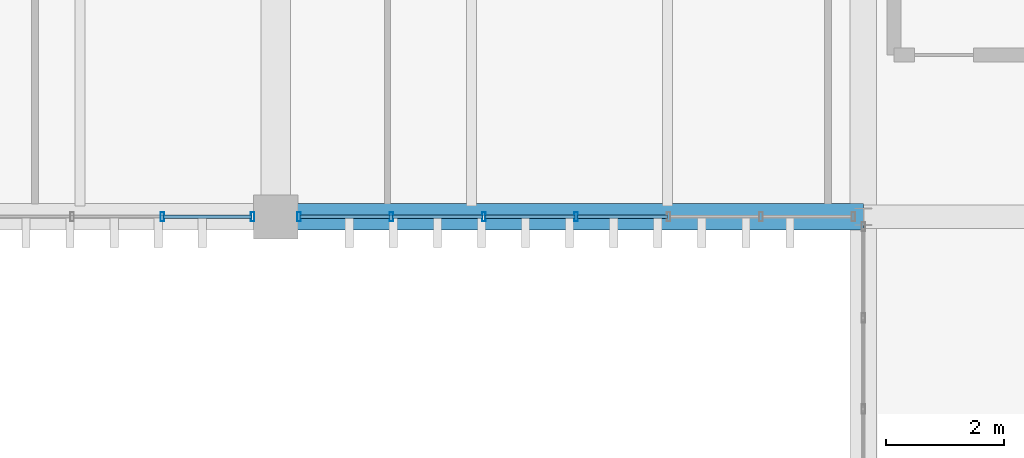
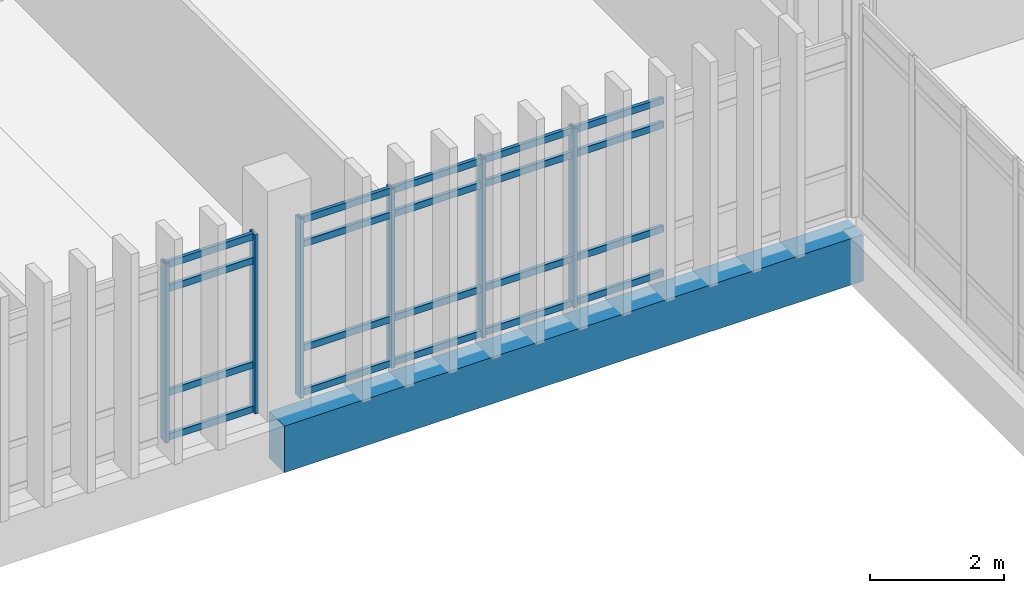
# One storey, part 87 of 161: 26 members, 1 beam, 2 elements without a shape of their own.
"""IFC4 building model written with IfcOpenShell, lengths in metres."""

import ifcopenshell
import ifcopenshell.guid

model = None  # the IFC model being written
_history = None  # IfcOwnerHistory: only IFC2X3 demands one
_inside = {}  # id of a spatial element -> (the spatial element, [elements in it])
_under = {}  # id of a project, library or spatial element -> (it, [spatial elements below it])
_declared = {}  # id of a project -> (the project, [libraries it declares])
_typed = {}  # id of a type object -> (the type object, [elements of that type])
_made_of = {}  # id of a material, layer set ... -> (it, [elements and type objects made of it])


def new_model(schema):
    """Start an empty IFC model of exactly this schema.

    Asked for "IFC4X3", IfcOpenShell would pick the latest addendum, in which some entities
    have other attributes; the version numbers below select the first issue.
    IFC2X3 requires an IfcOwnerHistory on every rooted entity: one is made here for all.
    """
    global model, _history
    if schema == "IFC4X3":
        model = ifcopenshell.file(schema_version=(4, 3, 0, 0))
    else:
        model = ifcopenshell.file(schema=schema)
    _inside.clear()
    _under.clear()
    _declared.clear()
    _typed.clear()
    _made_of.clear()
    _history = None
    if model.schema == "IFC2X3":
        org = make("IfcOrganization", Name="unknown")
        user = make(
            "IfcPersonAndOrganization",
            ThePerson=make("IfcPerson", FamilyName="unknown"),
            TheOrganization=org,
        )
        app = make(
            "IfcApplication",
            ApplicationDeveloper=org,
            Version="unknown",
            ApplicationFullName="unknown",
            ApplicationIdentifier="unknown",
        )
        _history = make(
            "IfcOwnerHistory",
            OwningUser=user,
            OwningApplication=app,
            ChangeAction="ADDED",
            CreationDate=0,
        )
    return model


def make(cls, **values):
    """One entity of the class cls with the attributes given. An attribute that is None is left unset."""
    return model.create_entity(
        cls, **{name: value for name, value in values.items() if value is not None}
    )


def rooted(cls, **values):
    """An entity with a GlobalId (a new one), such as an element, a storey or a relation."""
    return make(cls, GlobalId=ifcopenshell.guid.new(), OwnerHistory=_history, **values)


def si_unit(unit_type, name, prefix=None):
    """IfcSIUnit, for example si_unit("LENGTHUNIT", "METRE", prefix="MILLI")."""
    return make("IfcSIUnit", UnitType=unit_type, Prefix=prefix, Name=name)


def assignment(units):
    """IfcUnitAssignment: the units of a project."""
    return None if units is None else make("IfcUnitAssignment", Units=units)


def point(xyz):
    """IfcCartesianPoint."""
    return None if xyz is None else make("IfcCartesianPoint", Coordinates=xyz)


def direction(xyz):
    """IfcDirection."""
    return None if xyz is None else make("IfcDirection", DirectionRatios=xyz)


def frame(location, z_axis=None, x_axis=None):
    """IfcAxis2Placement3D, a coordinate frame: its origin and axes. An axis left out is left unset."""
    return make(
        "IfcAxis2Placement3D",
        Location=point(location),
        Axis=direction(z_axis),
        RefDirection=direction(x_axis),
    )


def frame_2d(location, x_axis=None):
    """IfcAxis2Placement2D, a coordinate frame in the plane: its origin and x axis."""
    return make(
        "IfcAxis2Placement2D", Location=point(location), RefDirection=direction(x_axis)
    )


def origin():
    """The frame at (0, 0, 0) with its axes left unset."""
    return frame((0.0, 0.0, 0.0))


def origin_2d():
    """The frame at (0, 0) in the plane with its x axis left unset."""
    return frame_2d((0.0, 0.0))


def place(relative_to, where):
    """IfcLocalPlacement: puts the frame where relative to a parent placement (None: the world)."""
    return make(
        "IfcLocalPlacement", PlacementRelTo=relative_to, RelativePlacement=where
    )


def context(
    kind, dimensions, precision=None, world=None, true_north=None, identifier=None
):
    """IfcGeometricRepresentationContext, for example the 3D "Model" context."""
    return make(
        "IfcGeometricRepresentationContext",
        ContextIdentifier=identifier,
        ContextType=kind,
        CoordinateSpaceDimension=dimensions,
        Precision=precision,
        WorldCoordinateSystem=world,
        TrueNorth=true_north,
    )


def subcontext(parent, identifier, kind, view, scale=None):
    """IfcGeometricRepresentationSubContext, for example "Body" below "Model"."""
    return make(
        "IfcGeometricRepresentationSubContext",
        ContextIdentifier=identifier,
        ContextType=kind,
        ParentContext=parent,
        TargetScale=scale,
        TargetView=view,
    )


def project(units=None, contexts=None):
    """IfcProject with its units and contexts."""
    return rooted(
        "IfcProject",
        Name="project",
        RepresentationContexts=contexts,
        UnitsInContext=assignment(units),
    )


def spatial(cls, under=None, at=None, **own):
    """A site, building, storey or space (cls), placed at a placement, below another one or the project."""
    s = rooted(cls, ObjectPlacement=at, **own)
    if under is not None:
        _under.setdefault(under.id(), (under, []))[1].append(s)
    return s


def profile(cls, at=None, kind="AREA", **sizes):
    """A parametric profile (cls). Its sizes go by their IFC names, for example OverallWidth=200.0."""
    return make(cls, ProfileType=kind, Position=at, **sizes)


def rectangle(**sizes):
    """IfcRectangleProfileDef."""
    return profile("IfcRectangleProfileDef", **sizes)


def hollow_rectangle(**sizes):
    """IfcRectangleHollowProfileDef."""
    return profile("IfcRectangleHollowProfileDef", **sizes)


def extrude(swept, where, along, depth):
    """IfcExtrudedAreaSolid: the profile swept, set in the frame where, extruded along a direction by depth."""
    return make(
        "IfcExtrudedAreaSolid",
        SweptArea=swept,
        Position=where,
        ExtrudedDirection=direction(along),
        Depth=depth,
    )


def shape(context_of_items, identifier, shape_type, items):
    """IfcShapeRepresentation: the items that make up one representation, for example the "Body"."""
    return make(
        "IfcShapeRepresentation",
        ContextOfItems=context_of_items,
        RepresentationIdentifier=identifier,
        RepresentationType=shape_type,
        Items=items,
    )


def material(Name=None, Category=None):
    """IfcMaterial."""
    return make("IfcMaterial", Name=Name, Category=Category)


def layer(
    of_material, thickness, ventilated=None, Name=None, Category=None, Priority=None
):
    """IfcMaterialLayer: one layer of a wall or slab, of a material (None: an air gap)."""
    return make(
        "IfcMaterialLayer",
        Material=of_material,
        LayerThickness=thickness,
        IsVentilated=ventilated,
        Name=Name,
        Category=Category,
        Priority=Priority,
    )


def layer_set(layers, Name=None):
    """IfcMaterialLayerSet."""
    return make("IfcMaterialLayerSet", MaterialLayers=layers, LayerSetName=Name)


def material_profile(
    of_material, cross_section, Name=None, Category=None, Priority=None
):
    """IfcMaterialProfile: a cross section and its material."""
    return make(
        "IfcMaterialProfile",
        Name=Name,
        Material=of_material,
        Profile=cross_section,
        Priority=Priority,
        Category=Category,
    )


def profile_set(profiles, Name=None, composite=None):
    """IfcMaterialProfileSet."""
    return make(
        "IfcMaterialProfileSet",
        Name=Name,
        MaterialProfiles=profiles,
        CompositeProfile=composite,
    )


def made_of(thing, what):
    """Note that an element or type object is made of a material, layer set ...; save() writes the relation."""
    if what is not None:
        _made_of.setdefault(what.id(), (what, []))[1].append(thing)
    return thing


def type_object(cls, material=None, **own):
    """A type object (cls), such as IfcWallType, which elements share."""
    return made_of(rooted(cls, **own), material)


def element(
    cls,
    number,
    at=None,
    inside=None,
    cuts=None,
    type_object=None,
    material=None,
    context=None,
    identifier="Body",
    shape_type=None,
    held_by="IfcProductDefinitionShape",
    body=None,
    shapes=None,
    **own,
):
    """One element of the class cls, such as IfcWall. Its Tag is "e" and its number.

    at: its placement. inside: the storey or other place that contains it. cuts: it is an
    opening in that element (IfcRelVoidsElement). A single representation is given by context,
    identifier, shape_type and body (its items); several are given by shapes. held_by: the class
    of the entity that holds the representations. save() writes the other relations.
    """
    e = rooted(cls, Tag="e%d" % number, ObjectPlacement=at, **own)
    if body is not None:
        shapes = [shape(context, identifier, shape_type, body)]
    if shapes is not None:
        e.Representation = make(held_by, Representations=shapes)
    if inside is not None:
        _inside.setdefault(inside.id(), (inside, []))[1].append(e)
    if cuts is not None:
        rooted(
            "IfcRelVoidsElement", RelatingBuildingElement=cuts, RelatedOpeningElement=e
        )
    if type_object is not None:
        _typed.setdefault(type_object.id(), (type_object, []))[1].append(e)
    return made_of(e, material)


def aggregate(whole, parts):
    """IfcRelAggregates: a whole, such as a stair, and the parts it consists of."""
    return rooted("IfcRelAggregates", RelatingObject=whole, RelatedObjects=parts)


def save(model, path):
    """Write the relations noted so far, then the file.

    IfcRelAggregates (storeys below a building ...), IfcRelContainedInSpatialStructure (elements
    in a storey), IfcRelDefinesByType, IfcRelAssociatesMaterial and IfcRelDeclares: one each for
    every whole, place, type object, material and project.
    """
    for whole, parts in _under.values():
        aggregate(whole, parts)
    for where, things in _inside.values():
        rooted(
            "IfcRelContainedInSpatialStructure",
            RelatedElements=things,
            RelatingStructure=where,
        )
    for kind, things in _typed.values():
        rooted("IfcRelDefinesByType", RelatedObjects=things, RelatingType=kind)
    for what, things in _made_of.values():
        rooted("IfcRelAssociatesMaterial", RelatedObjects=things, RelatingMaterial=what)
    for by, libraries in _declared.values():
        rooted("IfcRelDeclares", RelatingContext=by, RelatedDefinitions=libraries)
    model.write(path)


model = new_model("IFC4")

# Units and contexts
model_context = context("Model", 3, precision=1e-05, world=origin(), true_north=direction((0.0, 1.0)))
body_context = subcontext(model_context, "Body", "Model", "MODEL_VIEW")
ifc_project = project(units=[si_unit("LENGTHUNIT", "METRE"), si_unit("AREAUNIT", "SQUARE_METRE"), si_unit("VOLUMEUNIT", "CUBIC_METRE"), si_unit("PLANEANGLEUNIT", "RADIAN"), si_unit("MASSUNIT", "GRAM", prefix="KILO")], contexts=[model_context])

# Site, building, storey
site_placement = place(None, origin())
site = spatial("IfcSite", under=ifc_project, at=site_placement, CompositionType="ELEMENT")
building_placement = place(site_placement, origin())
building = spatial("IfcBuilding", under=site, at=building_placement, Name="Mersad Railyard Sports Hall", CompositionType="ELEMENT")
storey_placement = place(building_placement, frame((0.0, 0.0, 4.800048828125)))
storey = spatial("IfcBuildingStorey", under=building, at=storey_placement, Name="L01", CompositionType="ELEMENT", Elevation=4.800048828125)

# Curtain wall, members
ifc_material_1 = material(Name="Aluminium 6063-T6", Category="aluminium")
ifc_layer_1 = layer(ifc_material_1, 0.159912109375)
ifc_layer_set_1 = layer_set([ifc_layer_1], Name="Aluminium 6063-T6")
curtain_wall_type_1 = type_object("IfcCurtainWallType", Name="ARC-CW-CW38", PredefinedType="USERDEFINED", material=ifc_layer_set_1)
curtain_wall_1_placement = place(storey_placement, origin())
curtain_wall_1 = element("IfcCurtainWall", 1, at=curtain_wall_1_placement, inside=storey, type_object=curtain_wall_type_1, Name="Curtain wall CW38-0110", ObjectType="CURTAIN WALL", PredefinedType="USERDEFINED")
ifc_material_profile_1 = material_profile(ifc_material_1, hollow_rectangle(XDim=0.06005859375, YDim=0.159912109375, WallThickness=0.00390625, at=origin_2d()), Name="AL MULLION 60x160x4")
ifc_profile_set_1 = profile_set([ifc_material_profile_1], Name="Aluminium 6063-T6")
member_type_1 = type_object("IfcMemberType", Name="ARC-CW-MUL01", PredefinedType="MULLION", material=ifc_profile_set_1)
member_1_placement = place(storey_placement, frame((120.60498046875, 85.0, -0.02001953125), z_axis=(0.0, 0.0, 1.0), x_axis=(1.0, 0.0, 0.0)))
member_1 = element("IfcMember", 2, at=member_1_placement, type_object=member_type_1, Name="CW38 Mullion 1", PredefinedType="MULLION", context=body_context, shape_type="SweptSolid", body=[
    extrude(hollow_rectangle(XDim=0.06005859375, YDim=0.159912109375, WallThickness=0.00390625, at=origin_2d()), origin(), (0.0, 0.0, 1.0), 3.27001953125),
])
member_2_placement = place(storey_placement, frame((119.070068359375, 85.0, -0.02001953125), z_axis=(0.0, 0.0, 1.0), x_axis=(1.0, 0.0, 0.0)))
member_2 = element("IfcMember", 3, at=member_2_placement, type_object=member_type_1, Name="CW38 Mullion 2", PredefinedType="MULLION", context=body_context, shape_type="SweptSolid", body=[
    extrude(hollow_rectangle(XDim=0.06005859375, YDim=0.159912109375, WallThickness=0.00390625, at=origin_2d()), origin(), (0.0, 0.0, 1.0), 3.27001953125),
])

ifc_layer_2 = layer(ifc_material_1, 0.159912109375)
ifc_layer_set_2 = layer_set([ifc_layer_2], Name="Aluminium 6063-T6")
curtain_wall_type_2 = type_object("IfcCurtainWallType", Name="ARC-CW-CW39", PredefinedType="USERDEFINED", material=ifc_layer_set_2)
curtain_wall_2_placement = place(storey_placement, origin())
curtain_wall_2 = element("IfcCurtainWall", 4, at=curtain_wall_2_placement, inside=storey, type_object=curtain_wall_type_2, Name="Curtain wall CW39-0111", ObjectType="CURTAIN WALL", PredefinedType="USERDEFINED")
member_3_placement = place(storey_placement, frame((126.112548828125, 85.0, -0.02001953125), z_axis=(0.0, 0.0, 1.0), x_axis=(1.0, 0.0, 0.0)))
member_3 = element("IfcMember", 5, at=member_3_placement, type_object=member_type_1, Name="CW39 Mullion 4", PredefinedType="MULLION", context=body_context, shape_type="SweptSolid", body=[
    extrude(hollow_rectangle(XDim=0.06005859375, YDim=0.159912109375, WallThickness=0.00390625, at=origin_2d()), origin(), (0.0, 0.0, 1.0), 3.27001953125),
])
member_4_placement = place(storey_placement, frame((124.5400390625, 85.0, -0.02001953125), z_axis=(0.0, 0.0, 1.0), x_axis=(1.0, 0.0, 0.0)))
member_4 = element("IfcMember", 6, at=member_4_placement, type_object=member_type_1, Name="CW39 Mullion 5", PredefinedType="MULLION", context=body_context, shape_type="SweptSolid", body=[
    extrude(hollow_rectangle(XDim=0.06005859375, YDim=0.159912109375, WallThickness=0.00390625, at=origin_2d()), origin(), (0.0, 0.0, 1.0), 3.27001953125),
])
member_5_placement = place(storey_placement, frame((122.967529296875, 85.0, -0.02001953125), z_axis=(0.0, 0.0, 1.0), x_axis=(1.0, 0.0, 0.0)))
member_5 = element("IfcMember", 7, at=member_5_placement, type_object=member_type_1, Name="CW39 Mullion 6", PredefinedType="MULLION", context=body_context, shape_type="SweptSolid", body=[
    extrude(hollow_rectangle(XDim=0.06005859375, YDim=0.159912109375, WallThickness=0.00390625, at=origin_2d()), origin(), (0.0, 0.0, 1.0), 3.27001953125),
])
member_6_placement = place(storey_placement, frame((121.39501953125, 85.0, -0.02001953125), z_axis=(0.0, 0.0, 1.0), x_axis=(1.0, 0.0, 0.0)))
member_6 = element("IfcMember", 8, at=member_6_placement, type_object=member_type_1, Name="CW39 Mullion 7", PredefinedType="MULLION", context=body_context, shape_type="SweptSolid", body=[
    extrude(hollow_rectangle(XDim=0.06005859375, YDim=0.159912109375, WallThickness=0.00390625, at=origin_2d()), origin(), (0.0, 0.0, 1.0), 3.27001953125),
])

# Member
ifc_material_profile_2 = material_profile(ifc_material_1, hollow_rectangle(XDim=0.06005859375, YDim=0.1201171875, WallThickness=0.00390625, at=origin_2d()), Name="AL TRANSOM 60x120x4")
ifc_profile_set_2 = profile_set([ifc_material_profile_2], Name="Aluminium 6063-T6")
member_type_2 = type_object("IfcMemberType", Name="ARC-CW-TRN01", PredefinedType="USERDEFINED", material=ifc_profile_set_2)
member_7_placement = place(storey_placement, frame((120.5849609375, 85.0, 0.0400390625), z_axis=(-1.0, 0.0, 0.0), x_axis=(0.0, -1.0, 0.0)))
member_7 = element("IfcMember", 9, at=member_7_placement, type_object=member_type_2, Name="CW38 Transom 1-1", ObjectType="TRANSOM", PredefinedType="USERDEFINED", context=body_context, shape_type="SweptSolid", body=[
    extrude(hollow_rectangle(XDim=0.06005859375, YDim=0.1201171875, WallThickness=0.00390625, at=origin_2d()), origin(), (0.0, 0.0, 1.0), 1.494873046875),
])

member_8_placement = place(storey_placement, frame((120.5849609375, 85.0, 0.849853515625), z_axis=(-1.0, 0.0, 0.0), x_axis=(0.0, -1.0, 0.0)))
member_8 = element("IfcMember", 10, at=member_8_placement, type_object=member_type_2, Name="CW38 Transom 2-1", ObjectType="TRANSOM", PredefinedType="USERDEFINED", context=body_context, shape_type="SweptSolid", body=[
    extrude(hollow_rectangle(XDim=0.06005859375, YDim=0.1201171875, WallThickness=0.00390625, at=origin_2d()), origin(), (0.0, 0.0, 1.0), 1.494873046875),
])

member_9_placement = place(storey_placement, frame((120.5849609375, 85.0, 2.75), z_axis=(-1.0, 0.0, 0.0), x_axis=(0.0, -1.0, 0.0)))
member_9 = element("IfcMember", 11, at=member_9_placement, type_object=member_type_2, Name="CW38 Transom 3-1", ObjectType="TRANSOM", PredefinedType="USERDEFINED", context=body_context, shape_type="SweptSolid", body=[
    extrude(hollow_rectangle(XDim=0.06005859375, YDim=0.1201171875, WallThickness=0.00390625, at=origin_2d()), origin(), (0.0, 0.0, 1.0), 1.494873046875),
])

member_10_placement = place(storey_placement, frame((120.5849609375, 85.0, 3.18994140625), z_axis=(-1.0, 0.0, 0.0), x_axis=(0.0, -1.0, 0.0)))
member_10 = element("IfcMember", 12, at=member_10_placement, type_object=member_type_2, Name="CW38 Transom 4-1", ObjectType="TRANSOM", PredefinedType="USERDEFINED", context=body_context, shape_type="SweptSolid", body=[
    extrude(hollow_rectangle(XDim=0.06005859375, YDim=0.1201171875, WallThickness=0.00390625, at=origin_2d()), origin(), (0.0, 0.0, 1.0), 1.494873046875),
])

aggregate(curtain_wall_1, [member_1, member_2, member_7, member_8, member_9, member_10])

member_11_placement = place(storey_placement, frame((127.6650390625, 85.0, 0.0400390625), z_axis=(-1.0, 0.0, 0.0), x_axis=(0.0, -1.0, 0.0)))
member_11 = element("IfcMember", 13, at=member_11_placement, type_object=member_type_2, Name="CW39 Transom 1-3", ObjectType="TRANSOM", PredefinedType="USERDEFINED", context=body_context, shape_type="SweptSolid", body=[
    extrude(hollow_rectangle(XDim=0.06005859375, YDim=0.1201171875, WallThickness=0.00390625, at=origin_2d()), origin(), (0.0, 0.0, 1.0), 1.532470703125),
])

member_12_placement = place(storey_placement, frame((126.092529296875, 85.0, 0.0400390625), z_axis=(-1.0, 0.0, 0.0), x_axis=(0.0, -1.0, 0.0)))
member_12 = element("IfcMember", 14, at=member_12_placement, type_object=member_type_2, Name="CW39 Transom 1-4", ObjectType="TRANSOM", PredefinedType="USERDEFINED", context=body_context, shape_type="SweptSolid", body=[
    extrude(hollow_rectangle(XDim=0.06005859375, YDim=0.1201171875, WallThickness=0.00390625, at=origin_2d()), origin(), (0.0, 0.0, 1.0), 1.532470703125),
])

member_13_placement = place(storey_placement, frame((124.52001953125, 85.0, 0.0400390625), z_axis=(-1.0, 0.0, 0.0), x_axis=(0.0, -1.0, 0.0)))
member_13 = element("IfcMember", 15, at=member_13_placement, type_object=member_type_2, Name="CW39 Transom 1-5", ObjectType="TRANSOM", PredefinedType="USERDEFINED", context=body_context, shape_type="SweptSolid", body=[
    extrude(hollow_rectangle(XDim=0.06005859375, YDim=0.1201171875, WallThickness=0.00390625, at=origin_2d()), origin(), (0.0, 0.0, 1.0), 1.532470703125),
])

member_14_placement = place(storey_placement, frame((122.947509765625, 85.0, 0.0400390625), z_axis=(-1.0, 0.0, 0.0), x_axis=(0.0, -1.0, 0.0)))
member_14 = element("IfcMember", 16, at=member_14_placement, type_object=member_type_2, Name="CW39 Transom 1-6", ObjectType="TRANSOM", PredefinedType="USERDEFINED", context=body_context, shape_type="SweptSolid", body=[
    extrude(hollow_rectangle(XDim=0.06005859375, YDim=0.1201171875, WallThickness=0.00390625, at=origin_2d()), origin(), (0.0, 0.0, 1.0), 1.532470703125),
])

member_15_placement = place(storey_placement, frame((127.6650390625, 85.0, 0.849853515625), z_axis=(-1.0, 0.0, 0.0), x_axis=(0.0, -1.0, 0.0)))
member_15 = element("IfcMember", 17, at=member_15_placement, type_object=member_type_2, Name="CW39 Transom 2-3", ObjectType="TRANSOM", PredefinedType="USERDEFINED", context=body_context, shape_type="SweptSolid", body=[
    extrude(hollow_rectangle(XDim=0.06005859375, YDim=0.1201171875, WallThickness=0.00390625, at=origin_2d()), origin(), (0.0, 0.0, 1.0), 1.532470703125),
])

member_16_placement = place(storey_placement, frame((126.092529296875, 85.0, 0.849853515625), z_axis=(-1.0, 0.0, 0.0), x_axis=(0.0, -1.0, 0.0)))
member_16 = element("IfcMember", 18, at=member_16_placement, type_object=member_type_2, Name="CW39 Transom 2-4", ObjectType="TRANSOM", PredefinedType="USERDEFINED", context=body_context, shape_type="SweptSolid", body=[
    extrude(hollow_rectangle(XDim=0.06005859375, YDim=0.1201171875, WallThickness=0.00390625, at=origin_2d()), origin(), (0.0, 0.0, 1.0), 1.532470703125),
])

member_17_placement = place(storey_placement, frame((124.52001953125, 85.0, 0.849853515625), z_axis=(-1.0, 0.0, 0.0), x_axis=(0.0, -1.0, 0.0)))
member_17 = element("IfcMember", 19, at=member_17_placement, type_object=member_type_2, Name="CW39 Transom 2-5", ObjectType="TRANSOM", PredefinedType="USERDEFINED", context=body_context, shape_type="SweptSolid", body=[
    extrude(hollow_rectangle(XDim=0.06005859375, YDim=0.1201171875, WallThickness=0.00390625, at=origin_2d()), origin(), (0.0, 0.0, 1.0), 1.532470703125),
])

member_18_placement = place(storey_placement, frame((122.947509765625, 85.0, 0.849853515625), z_axis=(-1.0, 0.0, 0.0), x_axis=(0.0, -1.0, 0.0)))
member_18 = element("IfcMember", 20, at=member_18_placement, type_object=member_type_2, Name="CW39 Transom 2-6", ObjectType="TRANSOM", PredefinedType="USERDEFINED", context=body_context, shape_type="SweptSolid", body=[
    extrude(hollow_rectangle(XDim=0.06005859375, YDim=0.1201171875, WallThickness=0.00390625, at=origin_2d()), origin(), (0.0, 0.0, 1.0), 1.532470703125),
])

member_19_placement = place(storey_placement, frame((127.6650390625, 85.0, 2.75), z_axis=(-1.0, 0.0, 0.0), x_axis=(0.0, -1.0, 0.0)))
member_19 = element("IfcMember", 21, at=member_19_placement, type_object=member_type_2, Name="CW39 Transom 3-3", ObjectType="TRANSOM", PredefinedType="USERDEFINED", context=body_context, shape_type="SweptSolid", body=[
    extrude(hollow_rectangle(XDim=0.06005859375, YDim=0.1201171875, WallThickness=0.00390625, at=origin_2d()), origin(), (0.0, 0.0, 1.0), 1.532470703125),
])

member_20_placement = place(storey_placement, frame((126.092529296875, 85.0, 2.75), z_axis=(-1.0, 0.0, 0.0), x_axis=(0.0, -1.0, 0.0)))
member_20 = element("IfcMember", 22, at=member_20_placement, type_object=member_type_2, Name="CW39 Transom 3-4", ObjectType="TRANSOM", PredefinedType="USERDEFINED", context=body_context, shape_type="SweptSolid", body=[
    extrude(hollow_rectangle(XDim=0.06005859375, YDim=0.1201171875, WallThickness=0.00390625, at=origin_2d()), origin(), (0.0, 0.0, 1.0), 1.532470703125),
])

member_21_placement = place(storey_placement, frame((124.52001953125, 85.0, 2.75), z_axis=(-1.0, 0.0, 0.0), x_axis=(0.0, -1.0, 0.0)))
member_21 = element("IfcMember", 23, at=member_21_placement, type_object=member_type_2, Name="CW39 Transom 3-5", ObjectType="TRANSOM", PredefinedType="USERDEFINED", context=body_context, shape_type="SweptSolid", body=[
    extrude(hollow_rectangle(XDim=0.06005859375, YDim=0.1201171875, WallThickness=0.00390625, at=origin_2d()), origin(), (0.0, 0.0, 1.0), 1.532470703125),
])

member_22_placement = place(storey_placement, frame((122.947509765625, 85.0, 2.75), z_axis=(-1.0, 0.0, 0.0), x_axis=(0.0, -1.0, 0.0)))
member_22 = element("IfcMember", 24, at=member_22_placement, type_object=member_type_2, Name="CW39 Transom 3-6", ObjectType="TRANSOM", PredefinedType="USERDEFINED", context=body_context, shape_type="SweptSolid", body=[
    extrude(hollow_rectangle(XDim=0.06005859375, YDim=0.1201171875, WallThickness=0.00390625, at=origin_2d()), origin(), (0.0, 0.0, 1.0), 1.532470703125),
])

member_23_placement = place(storey_placement, frame((127.6650390625, 85.0, 3.18994140625), z_axis=(-1.0, 0.0, 0.0), x_axis=(0.0, -1.0, 0.0)))
member_23 = element("IfcMember", 25, at=member_23_placement, type_object=member_type_2, Name="CW39 Transom 4-3", ObjectType="TRANSOM", PredefinedType="USERDEFINED", context=body_context, shape_type="SweptSolid", body=[
    extrude(hollow_rectangle(XDim=0.06005859375, YDim=0.1201171875, WallThickness=0.00390625, at=origin_2d()), origin(), (0.0, 0.0, 1.0), 1.532470703125),
])

member_24_placement = place(storey_placement, frame((126.092529296875, 85.0, 3.18994140625), z_axis=(-1.0, 0.0, 0.0), x_axis=(0.0, -1.0, 0.0)))
member_24 = element("IfcMember", 26, at=member_24_placement, type_object=member_type_2, Name="CW39 Transom 4-4", ObjectType="TRANSOM", PredefinedType="USERDEFINED", context=body_context, shape_type="SweptSolid", body=[
    extrude(hollow_rectangle(XDim=0.06005859375, YDim=0.1201171875, WallThickness=0.00390625, at=origin_2d()), origin(), (0.0, 0.0, 1.0), 1.532470703125),
])

member_25_placement = place(storey_placement, frame((124.52001953125, 85.0, 3.18994140625), z_axis=(-1.0, 0.0, 0.0), x_axis=(0.0, -1.0, 0.0)))
member_25 = element("IfcMember", 27, at=member_25_placement, type_object=member_type_2, Name="CW39 Transom 4-5", ObjectType="TRANSOM", PredefinedType="USERDEFINED", context=body_context, shape_type="SweptSolid", body=[
    extrude(hollow_rectangle(XDim=0.06005859375, YDim=0.1201171875, WallThickness=0.00390625, at=origin_2d()), origin(), (0.0, 0.0, 1.0), 1.532470703125),
])

member_26_placement = place(storey_placement, frame((122.947509765625, 85.0, 3.18994140625), z_axis=(-1.0, 0.0, 0.0), x_axis=(0.0, -1.0, 0.0)))
member_26 = element("IfcMember", 28, at=member_26_placement, type_object=member_type_2, Name="CW39 Transom 4-6", ObjectType="TRANSOM", PredefinedType="USERDEFINED", context=body_context, shape_type="SweptSolid", body=[
    extrude(hollow_rectangle(XDim=0.06005859375, YDim=0.1201171875, WallThickness=0.00390625, at=origin_2d()), origin(), (0.0, 0.0, 1.0), 1.532470703125),
])

aggregate(curtain_wall_2, [member_3, member_4, member_5, member_6, member_11, member_12, member_13, member_14, member_15, member_16, member_17, member_18, member_19, member_20, member_21, member_22, member_23, member_24, member_25, member_26])

# Beam
ifc_material_2 = material(Name="Concrete C40/50", Category="concrete")
ifc_material_profile_3 = material_profile(ifc_material_2, rectangle(XDim=0.449951171875, YDim=0.85009765625, at=origin_2d()), Name="RC 450x850")
ifc_profile_set_3 = profile_set([ifc_material_profile_3], Name="Concrete C40/50")
beam_type = type_object("IfcBeamType", Name="STR-BM-B02", PredefinedType="BEAM", material=ifc_profile_set_3)
beam_placement = place(storey_placement, frame((121.0, 85.0, -0.72509765625), z_axis=(1.0, 0.0, 0.0), x_axis=(0.0, 1.0, 0.0)))
element("IfcBeam", 29, at=beam_placement, inside=storey, type_object=beam_type, Name="Beam B02-0931", PredefinedType="BEAM", context=body_context, shape_type="SweptSolid", body=[
    extrude(rectangle(XDim=0.449951171875, YDim=0.85009765625, at=origin_2d()), origin(), (0.0, 0.0, 1.0), 10.0),
])

save(model, "model.ifc")
